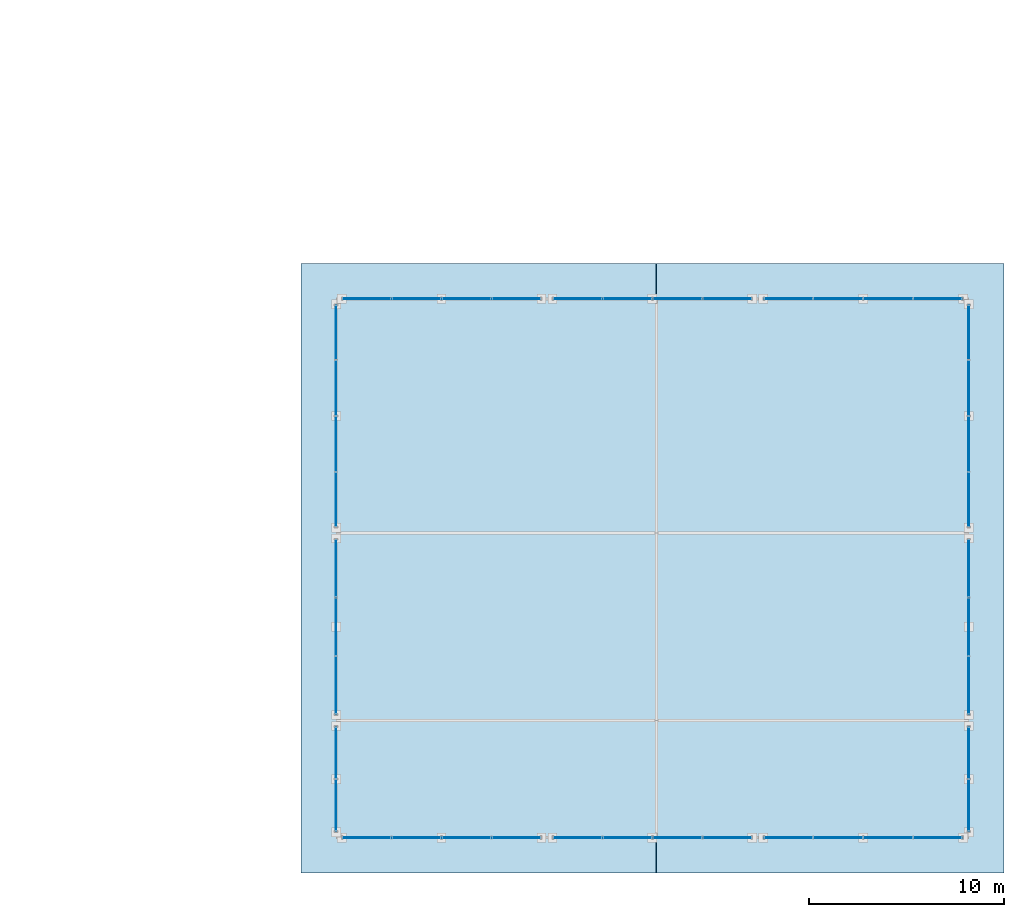
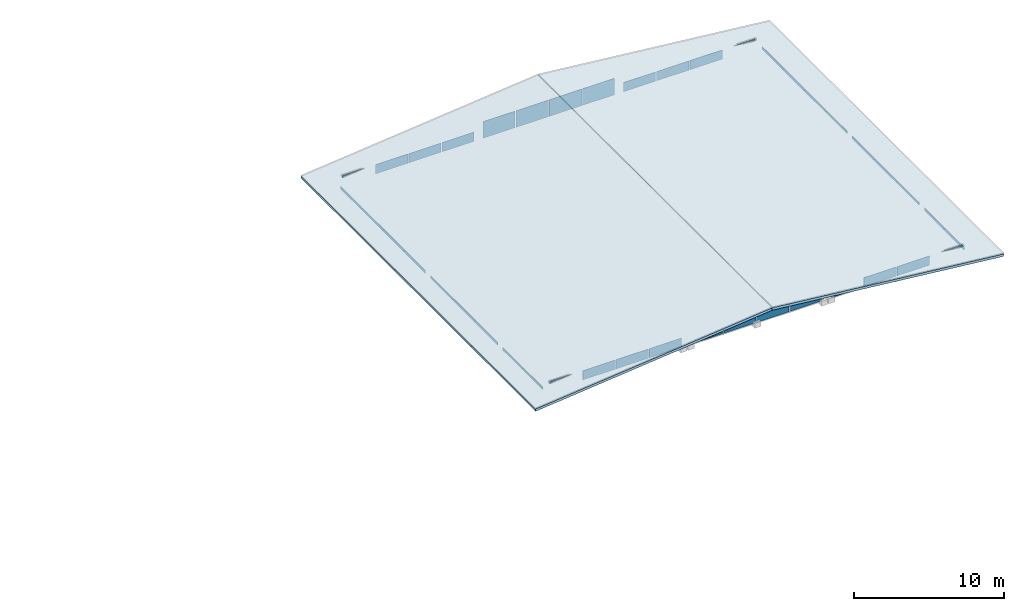
# One storey, part 100 of 117: 42 plates, 2 slabs, 12 elements without a shape of their own.
"""IFC4 building model written with IfcOpenShell, lengths in metres."""

import ifcopenshell
import ifcopenshell.guid

model = None  # the IFC model being written
_history = None  # IfcOwnerHistory: only IFC2X3 demands one
_inside = {}  # id of a spatial element -> (the spatial element, [elements in it])
_under = {}  # id of a project, library or spatial element -> (it, [spatial elements below it])
_declared = {}  # id of a project -> (the project, [libraries it declares])
_typed = {}  # id of a type object -> (the type object, [elements of that type])
_made_of = {}  # id of a material, layer set ... -> (it, [elements and type objects made of it])


def new_model(schema):
    """Start an empty IFC model of exactly this schema.

    Asked for "IFC4X3", IfcOpenShell would pick the latest addendum, in which some entities
    have other attributes; the version numbers below select the first issue.
    IFC2X3 requires an IfcOwnerHistory on every rooted entity: one is made here for all.
    """
    global model, _history
    if schema == "IFC4X3":
        model = ifcopenshell.file(schema_version=(4, 3, 0, 0))
    else:
        model = ifcopenshell.file(schema=schema)
    _inside.clear()
    _under.clear()
    _declared.clear()
    _typed.clear()
    _made_of.clear()
    _history = None
    if model.schema == "IFC2X3":
        org = make("IfcOrganization", Name="unknown")
        user = make(
            "IfcPersonAndOrganization",
            ThePerson=make("IfcPerson", FamilyName="unknown"),
            TheOrganization=org,
        )
        app = make(
            "IfcApplication",
            ApplicationDeveloper=org,
            Version="unknown",
            ApplicationFullName="unknown",
            ApplicationIdentifier="unknown",
        )
        _history = make(
            "IfcOwnerHistory",
            OwningUser=user,
            OwningApplication=app,
            ChangeAction="ADDED",
            CreationDate=0,
        )
    return model


def make(cls, **values):
    """One entity of the class cls with the attributes given. An attribute that is None is left unset."""
    return model.create_entity(
        cls, **{name: value for name, value in values.items() if value is not None}
    )


def rooted(cls, **values):
    """An entity with a GlobalId (a new one), such as an element, a storey or a relation."""
    return make(cls, GlobalId=ifcopenshell.guid.new(), OwnerHistory=_history, **values)


def si_unit(unit_type, name, prefix=None):
    """IfcSIUnit, for example si_unit("LENGTHUNIT", "METRE", prefix="MILLI")."""
    return make("IfcSIUnit", UnitType=unit_type, Prefix=prefix, Name=name)


def assignment(units):
    """IfcUnitAssignment: the units of a project."""
    return None if units is None else make("IfcUnitAssignment", Units=units)


def point(xyz):
    """IfcCartesianPoint."""
    return None if xyz is None else make("IfcCartesianPoint", Coordinates=xyz)


def direction(xyz):
    """IfcDirection."""
    return None if xyz is None else make("IfcDirection", DirectionRatios=xyz)


def frame(location, z_axis=None, x_axis=None):
    """IfcAxis2Placement3D, a coordinate frame: its origin and axes. An axis left out is left unset."""
    return make(
        "IfcAxis2Placement3D",
        Location=point(location),
        Axis=direction(z_axis),
        RefDirection=direction(x_axis),
    )


def frame_2d(location, x_axis=None):
    """IfcAxis2Placement2D, a coordinate frame in the plane: its origin and x axis."""
    return make(
        "IfcAxis2Placement2D", Location=point(location), RefDirection=direction(x_axis)
    )


def origin():
    """The frame at (0, 0, 0) with its axes left unset."""
    return frame((0.0, 0.0, 0.0))


def origin_2d():
    """The frame at (0, 0) in the plane with its x axis left unset."""
    return frame_2d((0.0, 0.0))


def place(relative_to, where):
    """IfcLocalPlacement: puts the frame where relative to a parent placement (None: the world)."""
    return make(
        "IfcLocalPlacement", PlacementRelTo=relative_to, RelativePlacement=where
    )


def context(
    kind, dimensions, precision=None, world=None, true_north=None, identifier=None
):
    """IfcGeometricRepresentationContext, for example the 3D "Model" context."""
    return make(
        "IfcGeometricRepresentationContext",
        ContextIdentifier=identifier,
        ContextType=kind,
        CoordinateSpaceDimension=dimensions,
        Precision=precision,
        WorldCoordinateSystem=world,
        TrueNorth=true_north,
    )


def subcontext(parent, identifier, kind, view, scale=None):
    """IfcGeometricRepresentationSubContext, for example "Body" below "Model"."""
    return make(
        "IfcGeometricRepresentationSubContext",
        ContextIdentifier=identifier,
        ContextType=kind,
        ParentContext=parent,
        TargetScale=scale,
        TargetView=view,
    )


def project(units=None, contexts=None):
    """IfcProject with its units and contexts."""
    return rooted(
        "IfcProject",
        Name="project",
        RepresentationContexts=contexts,
        UnitsInContext=assignment(units),
    )


def spatial(cls, under=None, at=None, **own):
    """A site, building, storey or space (cls), placed at a placement, below another one or the project."""
    s = rooted(cls, ObjectPlacement=at, **own)
    if under is not None:
        _under.setdefault(under.id(), (under, []))[1].append(s)
    return s


def polyline(points):
    """IfcPolyline through the points."""
    return make("IfcPolyline", Points=[point(p) for p in points])


def profile(cls, at=None, kind="AREA", **sizes):
    """A parametric profile (cls). Its sizes go by their IFC names, for example OverallWidth=200.0."""
    return make(cls, ProfileType=kind, Position=at, **sizes)


def rectangle(**sizes):
    """IfcRectangleProfileDef."""
    return profile("IfcRectangleProfileDef", **sizes)


def outline(outer, holes=None, kind="AREA"):
    """IfcArbitraryClosedProfileDef: a profile drawn as a closed curve; with holes, ...WithVoids."""
    if holes is None:
        return make("IfcArbitraryClosedProfileDef", ProfileType=kind, OuterCurve=outer)
    return make(
        "IfcArbitraryProfileDefWithVoids",
        ProfileType=kind,
        OuterCurve=outer,
        InnerCurves=holes,
    )


def extrude(swept, where, along, depth):
    """IfcExtrudedAreaSolid: the profile swept, set in the frame where, extruded along a direction by depth."""
    return make(
        "IfcExtrudedAreaSolid",
        SweptArea=swept,
        Position=where,
        ExtrudedDirection=direction(along),
        Depth=depth,
    )


def shape(context_of_items, identifier, shape_type, items):
    """IfcShapeRepresentation: the items that make up one representation, for example the "Body"."""
    return make(
        "IfcShapeRepresentation",
        ContextOfItems=context_of_items,
        RepresentationIdentifier=identifier,
        RepresentationType=shape_type,
        Items=items,
    )


def material(Name=None, Category=None):
    """IfcMaterial."""
    return make("IfcMaterial", Name=Name, Category=Category)


def layer(
    of_material, thickness, ventilated=None, Name=None, Category=None, Priority=None
):
    """IfcMaterialLayer: one layer of a wall or slab, of a material (None: an air gap)."""
    return make(
        "IfcMaterialLayer",
        Material=of_material,
        LayerThickness=thickness,
        IsVentilated=ventilated,
        Name=Name,
        Category=Category,
        Priority=Priority,
    )


def layer_set(layers, Name=None):
    """IfcMaterialLayerSet."""
    return make("IfcMaterialLayerSet", MaterialLayers=layers, LayerSetName=Name)


def made_of(thing, what):
    """Note that an element or type object is made of a material, layer set ...; save() writes the relation."""
    if what is not None:
        _made_of.setdefault(what.id(), (what, []))[1].append(thing)
    return thing


def type_object(cls, material=None, **own):
    """A type object (cls), such as IfcWallType, which elements share."""
    return made_of(rooted(cls, **own), material)


def element(
    cls,
    number,
    at=None,
    inside=None,
    cuts=None,
    type_object=None,
    material=None,
    context=None,
    identifier="Body",
    shape_type=None,
    held_by="IfcProductDefinitionShape",
    body=None,
    shapes=None,
    **own,
):
    """One element of the class cls, such as IfcWall. Its Tag is "e" and its number.

    at: its placement. inside: the storey or other place that contains it. cuts: it is an
    opening in that element (IfcRelVoidsElement). A single representation is given by context,
    identifier, shape_type and body (its items); several are given by shapes. held_by: the class
    of the entity that holds the representations. save() writes the other relations.
    """
    e = rooted(cls, Tag="e%d" % number, ObjectPlacement=at, **own)
    if body is not None:
        shapes = [shape(context, identifier, shape_type, body)]
    if shapes is not None:
        e.Representation = make(held_by, Representations=shapes)
    if inside is not None:
        _inside.setdefault(inside.id(), (inside, []))[1].append(e)
    if cuts is not None:
        rooted(
            "IfcRelVoidsElement", RelatingBuildingElement=cuts, RelatedOpeningElement=e
        )
    if type_object is not None:
        _typed.setdefault(type_object.id(), (type_object, []))[1].append(e)
    return made_of(e, material)


def aggregate(whole, parts):
    """IfcRelAggregates: a whole, such as a stair, and the parts it consists of."""
    return rooted("IfcRelAggregates", RelatingObject=whole, RelatedObjects=parts)


def save(model, path):
    """Write the relations noted so far, then the file.

    IfcRelAggregates (storeys below a building ...), IfcRelContainedInSpatialStructure (elements
    in a storey), IfcRelDefinesByType, IfcRelAssociatesMaterial and IfcRelDeclares: one each for
    every whole, place, type object, material and project.
    """
    for whole, parts in _under.values():
        aggregate(whole, parts)
    for where, things in _inside.values():
        rooted(
            "IfcRelContainedInSpatialStructure",
            RelatedElements=things,
            RelatingStructure=where,
        )
    for kind, things in _typed.values():
        rooted("IfcRelDefinesByType", RelatedObjects=things, RelatingType=kind)
    for what, things in _made_of.values():
        rooted("IfcRelAssociatesMaterial", RelatedObjects=things, RelatingMaterial=what)
    for by, libraries in _declared.values():
        rooted("IfcRelDeclares", RelatingContext=by, RelatedDefinitions=libraries)
    model.write(path)


model = new_model("IFC4")

# Units and contexts
model_context = context("Model", 3, precision=1e-05, world=origin(), true_north=direction((0.0, 1.0)))
body_context = subcontext(model_context, "Body", "Model", "MODEL_VIEW")
ifc_project = project(units=[si_unit("LENGTHUNIT", "METRE"), si_unit("AREAUNIT", "SQUARE_METRE"), si_unit("VOLUMEUNIT", "CUBIC_METRE"), si_unit("PLANEANGLEUNIT", "RADIAN"), si_unit("MASSUNIT", "GRAM", prefix="KILO")], contexts=[model_context])

# Site, building, storey
site_placement = place(None, origin())
site = spatial("IfcSite", under=ifc_project, at=site_placement, CompositionType="ELEMENT")
building_placement = place(site_placement, origin())
building = spatial("IfcBuilding", under=site, at=building_placement, Name="Merenkruunu Market Hall", CompositionType="ELEMENT")
storey_placement = place(building_placement, frame((0.0, 0.0, 22.800048828125)))
storey = spatial("IfcBuildingStorey", under=building, at=storey_placement, Name="RF", CompositionType="ELEMENT", Elevation=22.800048828125)

# Curtain wall, plates
ifc_material_1 = material(Name="Powder-coated aluminium", Category="aluminium")
curtain_wall_type_1 = type_object("IfcCurtainWallType", Name="Clerestory Curtain Band CL04", PredefinedType="USERDEFINED", material=ifc_material_1)
curtain_wall_1_placement = place(storey_placement, origin())
curtain_wall_1 = element("IfcCurtainWall", 1, at=curtain_wall_1_placement, inside=storey, type_object=curtain_wall_type_1, Name="CW-RF-CWM04-236", ObjectType="CLERESTORY_BAND", PredefinedType="USERDEFINED")
ifc_material_2 = material(Name="Triple low-E insulated glass", Category="glass")
ifc_layer_1 = layer(ifc_material_2, 0.035888671875)
ifc_layer_set_1 = layer_set([ifc_layer_1], Name="Triple low-E insulated glass")
plate_type = type_object("IfcPlateType", Name="Curtain Wall Glazing Panel CWP08", PredefinedType="CURTAIN_PANEL", material=ifc_layer_set_1)
plate_1_placement = place(storey_placement, frame((159.60009765625, 1.657470703125, -1.66015625), z_axis=(0.0, 0.0, 1.0), x_axis=(0.0, 1.0, 0.0)))
plate_1 = element("IfcPlate", 2, at=plate_1_placement, type_object=plate_type, Name="CL04 panel 1.1", PredefinedType="CURTAIN_PANEL", context=body_context, shape_type="SweptSolid", body=[
    extrude(rectangle(XDim=2.614990234375, YDim=0.035888671875, at=origin_2d()), origin(), (0.0, 0.0, 1.0), 0.219970703125),
])
plate_2_placement = place(storey_placement, frame((159.60009765625, 4.342529296875, -1.66015625), z_axis=(0.0, 0.0, 1.0), x_axis=(0.0, 1.0, 0.0)))
plate_2 = element("IfcPlate", 3, at=plate_2_placement, type_object=plate_type, Name="CL04 panel 2.1", PredefinedType="CURTAIN_PANEL", context=body_context, shape_type="SweptSolid", body=[
    extrude(rectangle(XDim=2.614990234375, YDim=0.035888671875, at=origin_2d()), origin(), (0.0, 0.0, 1.0), 0.219970703125),
])
aggregate(curtain_wall_1, [plate_1, plate_2])

curtain_wall_2_placement = place(storey_placement, origin())
curtain_wall_2 = element("IfcCurtainWall", 4, at=curtain_wall_2_placement, inside=storey, type_object=curtain_wall_type_1, Name="CW-RF-CWM04-237", ObjectType="CLERESTORY_BAND", PredefinedType="USERDEFINED")
plate_3_placement = place(storey_placement, frame((192.0, 4.342529296875, -1.66015625), z_axis=(0.0, 0.0, 1.0), x_axis=(0.0, -1.0, 0.0)))
plate_3 = element("IfcPlate", 5, at=plate_3_placement, type_object=plate_type, Name="CL04 panel 1.1", PredefinedType="CURTAIN_PANEL", context=body_context, shape_type="SweptSolid", body=[
    extrude(rectangle(XDim=2.614990234375, YDim=0.035888671875, at=origin_2d()), origin(), (0.0, 0.0, 1.0), 0.219970703125),
])
plate_4_placement = place(storey_placement, frame((192.0, 1.657470703125, -1.66015625), z_axis=(0.0, 0.0, 1.0), x_axis=(0.0, -1.0, 0.0)))
plate_4 = element("IfcPlate", 6, at=plate_4_placement, type_object=plate_type, Name="CL04 panel 2.1", PredefinedType="CURTAIN_PANEL", context=body_context, shape_type="SweptSolid", body=[
    extrude(rectangle(XDim=2.614990234375, YDim=0.035888671875, at=origin_2d()), origin(), (0.0, 0.0, 1.0), 0.219970703125),
])
aggregate(curtain_wall_2, [plate_3, plate_4])

curtain_wall_3_placement = place(storey_placement, origin())
curtain_wall_3 = element("IfcCurtainWall", 7, at=curtain_wall_3_placement, inside=storey, type_object=curtain_wall_type_1, Name="CW-RF-CWM04-238", ObjectType="CLERESTORY_BAND", PredefinedType="USERDEFINED")
plate_5_placement = place(storey_placement, frame((159.60009765625, 7.80419921875, -1.66015625), z_axis=(0.0, 0.0, 1.0), x_axis=(0.0, 1.0, 0.0)))
plate_5 = element("IfcPlate", 8, at=plate_5_placement, type_object=plate_type, Name="CL04 panel 1.1", PredefinedType="CURTAIN_PANEL", context=body_context, shape_type="SweptSolid", body=[
    extrude(rectangle(XDim=2.908447265625, YDim=0.035888671875, at=origin_2d()), origin(), (0.0, 0.0, 1.0), 0.219970703125),
])
plate_6_placement = place(storey_placement, frame((159.60009765625, 10.800048828125, -1.66015625), z_axis=(0.0, 0.0, 1.0), x_axis=(0.0, 1.0, 0.0)))
plate_6 = element("IfcPlate", 9, at=plate_6_placement, type_object=plate_type, Name="CL04 panel 2.1", PredefinedType="CURTAIN_PANEL", context=body_context, shape_type="SweptSolid", body=[
    extrude(rectangle(XDim=2.943359375, YDim=0.035888671875, at=origin_2d()), origin(), (0.0, 0.0, 1.0), 0.219970703125),
])
plate_7_placement = place(storey_placement, frame((159.60009765625, 13.7958984375, -1.66015625), z_axis=(0.0, 0.0, 1.0), x_axis=(0.0, 1.0, 0.0)))
plate_7 = element("IfcPlate", 10, at=plate_7_placement, type_object=plate_type, Name="CL04 panel 3.1", PredefinedType="CURTAIN_PANEL", context=body_context, shape_type="SweptSolid", body=[
    extrude(rectangle(XDim=2.908447265625, YDim=0.035888671875, at=origin_2d()), origin(), (0.0, 0.0, 1.0), 0.219970703125),
])
aggregate(curtain_wall_3, [plate_5, plate_6, plate_7])

curtain_wall_4_placement = place(storey_placement, origin())
curtain_wall_4 = element("IfcCurtainWall", 11, at=curtain_wall_4_placement, inside=storey, type_object=curtain_wall_type_1, Name="CW-RF-CWM04-239", ObjectType="CLERESTORY_BAND", PredefinedType="USERDEFINED")
plate_8_placement = place(storey_placement, frame((192.0, 13.7958984375, -1.66015625), z_axis=(0.0, 0.0, 1.0), x_axis=(0.0, -1.0, 0.0)))
plate_8 = element("IfcPlate", 12, at=plate_8_placement, type_object=plate_type, Name="CL04 panel 1.1", PredefinedType="CURTAIN_PANEL", context=body_context, shape_type="SweptSolid", body=[
    extrude(rectangle(XDim=2.908447265625, YDim=0.035888671875, at=origin_2d()), origin(), (0.0, 0.0, 1.0), 0.219970703125),
])
plate_9_placement = place(storey_placement, frame((192.0, 10.800048828125, -1.66015625), z_axis=(0.0, 0.0, 1.0), x_axis=(0.0, -1.0, 0.0)))
plate_9 = element("IfcPlate", 13, at=plate_9_placement, type_object=plate_type, Name="CL04 panel 2.1", PredefinedType="CURTAIN_PANEL", context=body_context, shape_type="SweptSolid", body=[
    extrude(rectangle(XDim=2.943359375, YDim=0.035888671875, at=origin_2d()), origin(), (0.0, 0.0, 1.0), 0.219970703125),
])
plate_10_placement = place(storey_placement, frame((192.0, 7.80419921875, -1.66015625), z_axis=(0.0, 0.0, 1.0), x_axis=(0.0, -1.0, 0.0)))
plate_10 = element("IfcPlate", 14, at=plate_10_placement, type_object=plate_type, Name="CL04 panel 3.1", PredefinedType="CURTAIN_PANEL", context=body_context, shape_type="SweptSolid", body=[
    extrude(rectangle(XDim=2.908447265625, YDim=0.035888671875, at=origin_2d()), origin(), (0.0, 0.0, 1.0), 0.219970703125),
])
aggregate(curtain_wall_4, [plate_8, plate_9, plate_10])

curtain_wall_5_placement = place(storey_placement, origin())
curtain_wall_5 = element("IfcCurtainWall", 15, at=curtain_wall_5_placement, inside=storey, type_object=curtain_wall_type_1, Name="CW-RF-CWM04-240", ObjectType="CLERESTORY_BAND", PredefinedType="USERDEFINED")
plate_11_placement = place(storey_placement, frame((159.60009765625, 17.327392578125, -1.66015625), z_axis=(0.0, 0.0, 1.0), x_axis=(0.0, 1.0, 0.0)))
plate_11 = element("IfcPlate", 16, at=plate_11_placement, type_object=plate_type, Name="CL04 panel 1.1", PredefinedType="CURTAIN_PANEL", context=body_context, shape_type="SweptSolid", body=[
    extrude(rectangle(XDim=2.7548828125, YDim=0.035888671875, at=origin_2d()), origin(), (0.0, 0.0, 1.0), 0.219970703125),
])
plate_12_placement = place(storey_placement, frame((159.60009765625, 20.169921875, -1.66015625), z_axis=(0.0, 0.0, 1.0), x_axis=(0.0, 1.0, 0.0)))
plate_12 = element("IfcPlate", 17, at=plate_12_placement, type_object=plate_type, Name="CL04 panel 2.1", PredefinedType="CURTAIN_PANEL", context=body_context, shape_type="SweptSolid", body=[
    extrude(rectangle(XDim=2.7900390625, YDim=0.035888671875, at=origin_2d()), origin(), (0.0, 0.0, 1.0), 0.219970703125),
])
plate_13_placement = place(storey_placement, frame((159.60009765625, 23.030029296875, -1.66015625), z_axis=(0.0, 0.0, 1.0), x_axis=(0.0, 1.0, 0.0)))
plate_13 = element("IfcPlate", 18, at=plate_13_placement, type_object=plate_type, Name="CL04 panel 3.1", PredefinedType="CURTAIN_PANEL", context=body_context, shape_type="SweptSolid", body=[
    extrude(rectangle(XDim=2.7900390625, YDim=0.035888671875, at=origin_2d()), origin(), (0.0, 0.0, 1.0), 0.219970703125),
])
plate_14_placement = place(storey_placement, frame((159.60009765625, 25.87255859375, -1.66015625), z_axis=(0.0, 0.0, 1.0), x_axis=(0.0, 1.0, 0.0)))
plate_14 = element("IfcPlate", 19, at=plate_14_placement, type_object=plate_type, Name="CL04 panel 4.1", PredefinedType="CURTAIN_PANEL", context=body_context, shape_type="SweptSolid", body=[
    extrude(rectangle(XDim=2.7548828125, YDim=0.035888671875, at=origin_2d()), origin(), (0.0, 0.0, 1.0), 0.219970703125),
])
aggregate(curtain_wall_5, [plate_11, plate_12, plate_13, plate_14])

curtain_wall_6_placement = place(storey_placement, origin())
curtain_wall_6 = element("IfcCurtainWall", 20, at=curtain_wall_6_placement, inside=storey, type_object=curtain_wall_type_1, Name="CW-RF-CWM04-241", ObjectType="CLERESTORY_BAND", PredefinedType="USERDEFINED")
plate_15_placement = place(storey_placement, frame((192.0, 25.87255859375, -1.66015625), z_axis=(0.0, 0.0, 1.0), x_axis=(0.0, -1.0, 0.0)))
plate_15 = element("IfcPlate", 21, at=plate_15_placement, type_object=plate_type, Name="CL04 panel 1.1", PredefinedType="CURTAIN_PANEL", context=body_context, shape_type="SweptSolid", body=[
    extrude(rectangle(XDim=2.7548828125, YDim=0.035888671875, at=origin_2d()), origin(), (0.0, 0.0, 1.0), 0.219970703125),
])
plate_16_placement = place(storey_placement, frame((192.0, 23.030029296875, -1.66015625), z_axis=(0.0, 0.0, 1.0), x_axis=(0.0, -1.0, 0.0)))
plate_16 = element("IfcPlate", 22, at=plate_16_placement, type_object=plate_type, Name="CL04 panel 2.1", PredefinedType="CURTAIN_PANEL", context=body_context, shape_type="SweptSolid", body=[
    extrude(rectangle(XDim=2.7900390625, YDim=0.035888671875, at=origin_2d()), origin(), (0.0, 0.0, 1.0), 0.219970703125),
])
plate_17_placement = place(storey_placement, frame((192.0, 20.169921875, -1.66015625), z_axis=(0.0, 0.0, 1.0), x_axis=(0.0, -1.0, 0.0)))
plate_17 = element("IfcPlate", 23, at=plate_17_placement, type_object=plate_type, Name="CL04 panel 3.1", PredefinedType="CURTAIN_PANEL", context=body_context, shape_type="SweptSolid", body=[
    extrude(rectangle(XDim=2.7900390625, YDim=0.035888671875, at=origin_2d()), origin(), (0.0, 0.0, 1.0), 0.219970703125),
])
plate_18_placement = place(storey_placement, frame((192.0, 17.327392578125, -1.66015625), z_axis=(0.0, 0.0, 1.0), x_axis=(0.0, -1.0, 0.0)))
plate_18 = element("IfcPlate", 24, at=plate_18_placement, type_object=plate_type, Name="CL04 panel 4.1", PredefinedType="CURTAIN_PANEL", context=body_context, shape_type="SweptSolid", body=[
    extrude(rectangle(XDim=2.7548828125, YDim=0.035888671875, at=origin_2d()), origin(), (0.0, 0.0, 1.0), 0.219970703125),
])
aggregate(curtain_wall_6, [plate_15, plate_16, plate_17, plate_18])

curtain_wall_type_2 = type_object("IfcCurtainWallType", Name="Clerestory Curtain Band CL03", PredefinedType="USERDEFINED", material=ifc_material_1)
curtain_wall_7_placement = place(storey_placement, origin())
curtain_wall_7 = element("IfcCurtainWall", 25, at=curtain_wall_7_placement, inside=storey, type_object=curtain_wall_type_2, Name="CW-RF-CWM04-242", ObjectType="CLERESTORY_BAND", PredefinedType="USERDEFINED")
plate_19_placement = place(storey_placement, frame((168.822509765625, 0.0, -1.66015625), z_axis=(0.0, 0.0, 1.0), x_axis=(-1.0, 0.0, 0.0)))
plate_19 = element("IfcPlate", 26, at=plate_19_placement, type_object=plate_type, Name="CL03 panel 1.1", PredefinedType="CURTAIN_PANEL", context=body_context, shape_type="SweptSolid", body=[
    extrude(rectangle(XDim=2.455078125, YDim=0.035888671875, at=origin_2d()), origin(), (0.0, 0.0, 1.0), 0.75),
])
plate_20_placement = place(storey_placement, frame((166.280029296875, 0.0, -1.66015625), z_axis=(0.0, 0.0, 1.0), x_axis=(-1.0, 0.0, 0.0)))
plate_20 = element("IfcPlate", 27, at=plate_20_placement, type_object=plate_type, Name="CL03 panel 2.1", PredefinedType="CURTAIN_PANEL", context=body_context, shape_type="SweptSolid", body=[
    extrude(rectangle(XDim=2.489990234375, YDim=0.035888671875, at=origin_2d()), origin(), (0.0, 0.0, 1.0), 0.75),
])
plate_21_placement = place(storey_placement, frame((163.719970703125, 0.0, -1.66015625), z_axis=(0.0, 0.0, 1.0), x_axis=(-1.0, 0.0, 0.0)))
plate_21 = element("IfcPlate", 28, at=plate_21_placement, type_object=plate_type, Name="CL03 panel 3.1", PredefinedType="CURTAIN_PANEL", context=body_context, shape_type="SweptSolid", body=[
    extrude(rectangle(XDim=2.489990234375, YDim=0.035888671875, at=origin_2d()), origin(), (0.0, 0.0, 1.0), 0.75),
])
plate_22_placement = place(storey_placement, frame((161.177490234375, 0.0, -1.66015625), z_axis=(0.0, 0.0, 1.0), x_axis=(-1.0, 0.0, 0.0)))
plate_22 = element("IfcPlate", 29, at=plate_22_placement, type_object=plate_type, Name="CL03 panel 4.1", PredefinedType="CURTAIN_PANEL", context=body_context, shape_type="SweptSolid", body=[
    extrude(rectangle(XDim=2.455078125, YDim=0.035888671875, at=origin_2d()), origin(), (0.0, 0.0, 1.0), 0.75),
])
aggregate(curtain_wall_7, [plate_19, plate_20, plate_21, plate_22])

curtain_wall_8_placement = place(storey_placement, origin())
curtain_wall_8 = element("IfcCurtainWall", 30, at=curtain_wall_8_placement, inside=storey, type_object=curtain_wall_type_2, Name="CW-RF-CWM04-243", ObjectType="CLERESTORY_BAND", PredefinedType="USERDEFINED")
plate_23_placement = place(storey_placement, frame((161.177490234375, 27.60009765625, -1.66015625), z_axis=(0.0, 0.0, 1.0), x_axis=(1.0, 0.0, 0.0)))
plate_23 = element("IfcPlate", 31, at=plate_23_placement, type_object=plate_type, Name="CL03 panel 1.1", PredefinedType="CURTAIN_PANEL", context=body_context, shape_type="SweptSolid", body=[
    extrude(rectangle(XDim=2.455078125, YDim=0.035888671875, at=origin_2d()), origin(), (0.0, 0.0, 1.0), 0.75),
])
plate_24_placement = place(storey_placement, frame((163.719970703125, 27.60009765625, -1.66015625), z_axis=(0.0, 0.0, 1.0), x_axis=(1.0, 0.0, 0.0)))
plate_24 = element("IfcPlate", 32, at=plate_24_placement, type_object=plate_type, Name="CL03 panel 2.1", PredefinedType="CURTAIN_PANEL", context=body_context, shape_type="SweptSolid", body=[
    extrude(rectangle(XDim=2.489990234375, YDim=0.035888671875, at=origin_2d()), origin(), (0.0, 0.0, 1.0), 0.75),
])
plate_25_placement = place(storey_placement, frame((166.280029296875, 27.60009765625, -1.66015625), z_axis=(0.0, 0.0, 1.0), x_axis=(1.0, 0.0, 0.0)))
plate_25 = element("IfcPlate", 33, at=plate_25_placement, type_object=plate_type, Name="CL03 panel 3.1", PredefinedType="CURTAIN_PANEL", context=body_context, shape_type="SweptSolid", body=[
    extrude(rectangle(XDim=2.489990234375, YDim=0.035888671875, at=origin_2d()), origin(), (0.0, 0.0, 1.0), 0.75),
])
plate_26_placement = place(storey_placement, frame((168.822509765625, 27.60009765625, -1.66015625), z_axis=(0.0, 0.0, 1.0), x_axis=(1.0, 0.0, 0.0)))
plate_26 = element("IfcPlate", 34, at=plate_26_placement, type_object=plate_type, Name="CL03 panel 4.1", PredefinedType="CURTAIN_PANEL", context=body_context, shape_type="SweptSolid", body=[
    extrude(rectangle(XDim=2.455078125, YDim=0.035888671875, at=origin_2d()), origin(), (0.0, 0.0, 1.0), 0.75),
])
aggregate(curtain_wall_8, [plate_23, plate_24, plate_25, plate_26])

curtain_wall_9_placement = place(storey_placement, origin())
curtain_wall_9 = element("IfcCurtainWall", 35, at=curtain_wall_9_placement, inside=storey, type_object=curtain_wall_type_2, Name="CW-RF-CWM04-244", ObjectType="CLERESTORY_BAND", PredefinedType="USERDEFINED")
plate_27_placement = place(storey_placement, frame((179.62255859375, 0.0, -1.66015625), z_axis=(0.0, 0.0, 1.0), x_axis=(-1.0, 0.0, 0.0)))
plate_27 = element("IfcPlate", 36, at=plate_27_placement, type_object=plate_type, Name="CL03 panel 1.1", PredefinedType="CURTAIN_PANEL", context=body_context, shape_type="SweptSolid", body=[
    extrude(rectangle(XDim=2.455078125, YDim=0.035888671875, at=origin_2d()), origin(), (0.0, 0.0, 1.0), 1.35009765625),
])
plate_28_placement = place(storey_placement, frame((177.080078125, 0.0, -1.66015625), z_axis=(0.0, 0.0, 1.0), x_axis=(-1.0, 0.0, 0.0)))
plate_28 = element("IfcPlate", 37, at=plate_28_placement, type_object=plate_type, Name="CL03 panel 2.1", PredefinedType="CURTAIN_PANEL", context=body_context, shape_type="SweptSolid", body=[
    extrude(rectangle(XDim=2.489990234375, YDim=0.035888671875, at=origin_2d()), origin(), (0.0, 0.0, 1.0), 1.35009765625),
])
plate_29_placement = place(storey_placement, frame((174.52001953125, 0.0, -1.66015625), z_axis=(0.0, 0.0, 1.0), x_axis=(-1.0, 0.0, 0.0)))
plate_29 = element("IfcPlate", 38, at=plate_29_placement, type_object=plate_type, Name="CL03 panel 3.1", PredefinedType="CURTAIN_PANEL", context=body_context, shape_type="SweptSolid", body=[
    extrude(rectangle(XDim=2.489990234375, YDim=0.035888671875, at=origin_2d()), origin(), (0.0, 0.0, 1.0), 1.35009765625),
])
plate_30_placement = place(storey_placement, frame((171.9775390625, 0.0, -1.66015625), z_axis=(0.0, 0.0, 1.0), x_axis=(-1.0, 0.0, 0.0)))
plate_30 = element("IfcPlate", 39, at=plate_30_placement, type_object=plate_type, Name="CL03 panel 4.1", PredefinedType="CURTAIN_PANEL", context=body_context, shape_type="SweptSolid", body=[
    extrude(rectangle(XDim=2.455078125, YDim=0.035888671875, at=origin_2d()), origin(), (0.0, 0.0, 1.0), 1.35009765625),
])
aggregate(curtain_wall_9, [plate_27, plate_28, plate_29, plate_30])

curtain_wall_10_placement = place(storey_placement, origin())
curtain_wall_10 = element("IfcCurtainWall", 40, at=curtain_wall_10_placement, inside=storey, type_object=curtain_wall_type_2, Name="CW-RF-CWM04-245", ObjectType="CLERESTORY_BAND", PredefinedType="USERDEFINED")
plate_31_placement = place(storey_placement, frame((171.9775390625, 27.60009765625, -1.66015625), z_axis=(0.0, 0.0, 1.0), x_axis=(1.0, 0.0, 0.0)))
plate_31 = element("IfcPlate", 41, at=plate_31_placement, type_object=plate_type, Name="CL03 panel 1.1", PredefinedType="CURTAIN_PANEL", context=body_context, shape_type="SweptSolid", body=[
    extrude(rectangle(XDim=2.455078125, YDim=0.035888671875, at=origin_2d()), origin(), (0.0, 0.0, 1.0), 1.35009765625),
])
plate_32_placement = place(storey_placement, frame((174.52001953125, 27.60009765625, -1.66015625), z_axis=(0.0, 0.0, 1.0), x_axis=(1.0, 0.0, 0.0)))
plate_32 = element("IfcPlate", 42, at=plate_32_placement, type_object=plate_type, Name="CL03 panel 2.1", PredefinedType="CURTAIN_PANEL", context=body_context, shape_type="SweptSolid", body=[
    extrude(rectangle(XDim=2.489990234375, YDim=0.035888671875, at=origin_2d()), origin(), (0.0, 0.0, 1.0), 1.35009765625),
])
plate_33_placement = place(storey_placement, frame((177.080078125, 27.60009765625, -1.66015625), z_axis=(0.0, 0.0, 1.0), x_axis=(1.0, 0.0, 0.0)))
plate_33 = element("IfcPlate", 43, at=plate_33_placement, type_object=plate_type, Name="CL03 panel 3.1", PredefinedType="CURTAIN_PANEL", context=body_context, shape_type="SweptSolid", body=[
    extrude(rectangle(XDim=2.489990234375, YDim=0.035888671875, at=origin_2d()), origin(), (0.0, 0.0, 1.0), 1.35009765625),
])
plate_34_placement = place(storey_placement, frame((179.62255859375, 27.60009765625, -1.66015625), z_axis=(0.0, 0.0, 1.0), x_axis=(1.0, 0.0, 0.0)))
plate_34 = element("IfcPlate", 44, at=plate_34_placement, type_object=plate_type, Name="CL03 panel 4.1", PredefinedType="CURTAIN_PANEL", context=body_context, shape_type="SweptSolid", body=[
    extrude(rectangle(XDim=2.455078125, YDim=0.035888671875, at=origin_2d()), origin(), (0.0, 0.0, 1.0), 1.35009765625),
])
aggregate(curtain_wall_10, [plate_31, plate_32, plate_33, plate_34])

curtain_wall_11_placement = place(storey_placement, origin())
curtain_wall_11 = element("IfcCurtainWall", 45, at=curtain_wall_11_placement, inside=storey, type_object=curtain_wall_type_2, Name="CW-RF-CWM04-246", ObjectType="CLERESTORY_BAND", PredefinedType="USERDEFINED")
plate_35_placement = place(storey_placement, frame((190.422607421875, 0.0, -1.66015625), z_axis=(0.0, 0.0, 1.0), x_axis=(-1.0, 0.0, 0.0)))
plate_35 = element("IfcPlate", 46, at=plate_35_placement, type_object=plate_type, Name="CL03 panel 1.1", PredefinedType="CURTAIN_PANEL", context=body_context, shape_type="SweptSolid", body=[
    extrude(rectangle(XDim=2.455078125, YDim=0.035888671875, at=origin_2d()), origin(), (0.0, 0.0, 1.0), 0.75),
])
plate_36_placement = place(storey_placement, frame((187.8798828125, 0.0, -1.66015625), z_axis=(0.0, 0.0, 1.0), x_axis=(-1.0, 0.0, 0.0)))
plate_36 = element("IfcPlate", 47, at=plate_36_placement, type_object=plate_type, Name="CL03 panel 2.1", PredefinedType="CURTAIN_PANEL", context=body_context, shape_type="SweptSolid", body=[
    extrude(rectangle(XDim=2.489990234375, YDim=0.035888671875, at=origin_2d()), origin(), (0.0, 0.0, 1.0), 0.75),
])
plate_37_placement = place(storey_placement, frame((185.320068359375, 0.0, -1.66015625), z_axis=(0.0, 0.0, 1.0), x_axis=(-1.0, 0.0, 0.0)))
plate_37 = element("IfcPlate", 48, at=plate_37_placement, type_object=plate_type, Name="CL03 panel 3.1", PredefinedType="CURTAIN_PANEL", context=body_context, shape_type="SweptSolid", body=[
    extrude(rectangle(XDim=2.489990234375, YDim=0.035888671875, at=origin_2d()), origin(), (0.0, 0.0, 1.0), 0.75),
])
plate_38_placement = place(storey_placement, frame((182.777587890625, 0.0, -1.66015625), z_axis=(0.0, 0.0, 1.0), x_axis=(-1.0, 0.0, 0.0)))
plate_38 = element("IfcPlate", 49, at=plate_38_placement, type_object=plate_type, Name="CL03 panel 4.1", PredefinedType="CURTAIN_PANEL", context=body_context, shape_type="SweptSolid", body=[
    extrude(rectangle(XDim=2.455078125, YDim=0.035888671875, at=origin_2d()), origin(), (0.0, 0.0, 1.0), 0.75),
])
aggregate(curtain_wall_11, [plate_35, plate_36, plate_37, plate_38])

curtain_wall_12_placement = place(storey_placement, origin())
curtain_wall_12 = element("IfcCurtainWall", 50, at=curtain_wall_12_placement, inside=storey, type_object=curtain_wall_type_2, Name="CW-RF-CWM04-247", ObjectType="CLERESTORY_BAND", PredefinedType="USERDEFINED")
plate_39_placement = place(storey_placement, frame((182.777587890625, 27.60009765625, -1.66015625), z_axis=(0.0, 0.0, 1.0), x_axis=(1.0, 0.0, 0.0)))
plate_39 = element("IfcPlate", 51, at=plate_39_placement, type_object=plate_type, Name="CL03 panel 1.1", PredefinedType="CURTAIN_PANEL", context=body_context, shape_type="SweptSolid", body=[
    extrude(rectangle(XDim=2.455078125, YDim=0.035888671875, at=origin_2d()), origin(), (0.0, 0.0, 1.0), 0.75),
])
plate_40_placement = place(storey_placement, frame((185.320068359375, 27.60009765625, -1.66015625), z_axis=(0.0, 0.0, 1.0), x_axis=(1.0, 0.0, 0.0)))
plate_40 = element("IfcPlate", 52, at=plate_40_placement, type_object=plate_type, Name="CL03 panel 2.1", PredefinedType="CURTAIN_PANEL", context=body_context, shape_type="SweptSolid", body=[
    extrude(rectangle(XDim=2.489990234375, YDim=0.035888671875, at=origin_2d()), origin(), (0.0, 0.0, 1.0), 0.75),
])
plate_41_placement = place(storey_placement, frame((187.8798828125, 27.60009765625, -1.66015625), z_axis=(0.0, 0.0, 1.0), x_axis=(1.0, 0.0, 0.0)))
plate_41 = element("IfcPlate", 53, at=plate_41_placement, type_object=plate_type, Name="CL03 panel 3.1", PredefinedType="CURTAIN_PANEL", context=body_context, shape_type="SweptSolid", body=[
    extrude(rectangle(XDim=2.489990234375, YDim=0.035888671875, at=origin_2d()), origin(), (0.0, 0.0, 1.0), 0.75),
])
plate_42_placement = place(storey_placement, frame((190.422607421875, 27.60009765625, -1.66015625), z_axis=(0.0, 0.0, 1.0), x_axis=(1.0, 0.0, 0.0)))
plate_42 = element("IfcPlate", 54, at=plate_42_placement, type_object=plate_type, Name="CL03 panel 4.1", PredefinedType="CURTAIN_PANEL", context=body_context, shape_type="SweptSolid", body=[
    extrude(rectangle(XDim=2.455078125, YDim=0.035888671875, at=origin_2d()), origin(), (0.0, 0.0, 1.0), 0.75),
])
aggregate(curtain_wall_12, [plate_39, plate_40, plate_41, plate_42])

# Slabs
ifc_material_3 = material(Name="High-albedo white roof Steel S355ML", Category="steel")
ifc_layer_2 = layer(ifc_material_3, 0.199951171875)
ifc_layer_set_2 = layer_set([ifc_layer_2], Name="High-albedo white roof Steel S355ML")
slab_type = type_object("IfcSlabType", Name="Sloped Or Flat Roof Deck RS01", PredefinedType="ROOF", material=ifc_layer_set_2)
slab_1_placement = place(storey_placement, frame((157.800048828125, -1.800048828125, -1.300048828125), z_axis=(-0.101132803448, 0.0, 0.994872934634), x_axis=(0.994872934634, 0.0, 0.101132803448)))
element("IfcSlab", 55, at=slab_1_placement, inside=storey, type_object=slab_type, Name="SL-ROOF-V3-RFW", PredefinedType="ROOF", context=body_context, shape_type="SweptSolid", body=[
    extrude(outline(polyline([(0.0, 0.0), (18.29374439518318, 0.0), (18.29374439518318, 31.199951171875), (0.0, 31.199951171875), (0.0, 0.0)])), origin(), (0.0, 0.0, -1.0), 0.199951171875),
])
slab_2_placement = place(storey_placement, frame((176.0, -1.800048828125, 0.550048828125), z_axis=(0.103380870474, 0.0, 0.994641842886), x_axis=(0.994641842886, 0.0, -0.103380870474)))
element("IfcSlab", 56, at=slab_2_placement, inside=storey, type_object=slab_type, Name="SL-ROOF-V3-RFE", PredefinedType="ROOF", context=body_context, shape_type="SweptSolid", body=[
    extrude(outline(polyline([(0.0, 0.0), (17.895938076035467, 0.0), (17.895938076035467, 31.199951171875), (0.0, 31.199951171875), (0.0, 0.0)])), origin(), (0.0, 0.0, -1.0), 0.199951171875),
])

save(model, "model.ifc")
